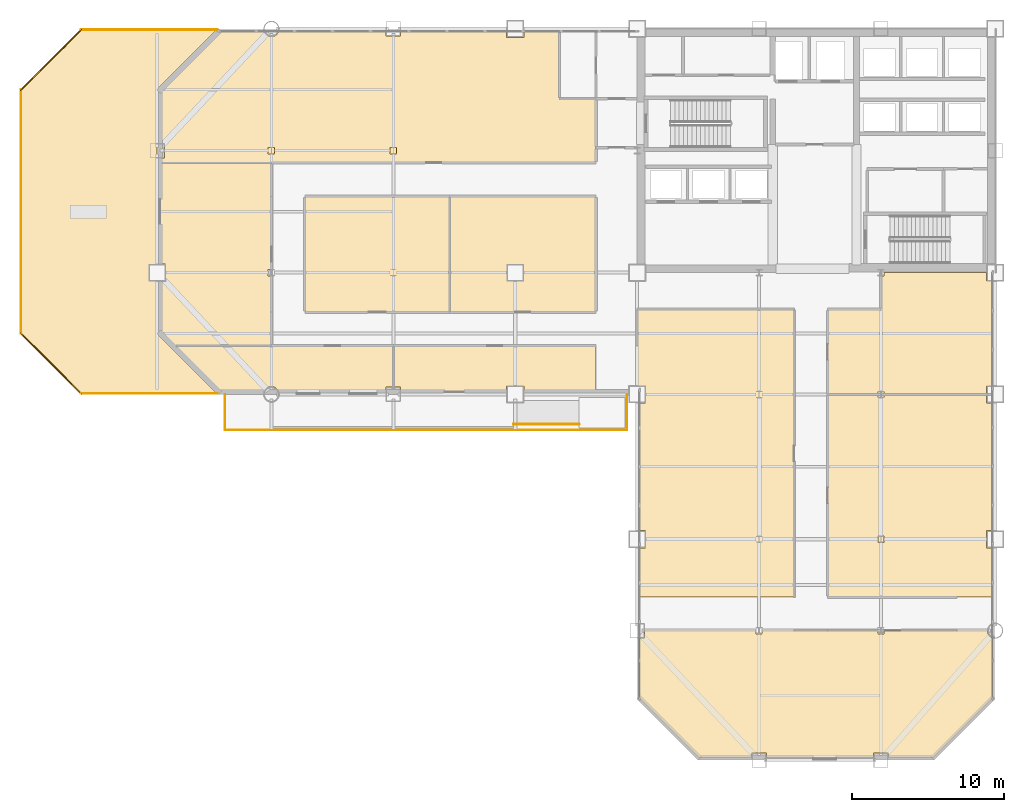
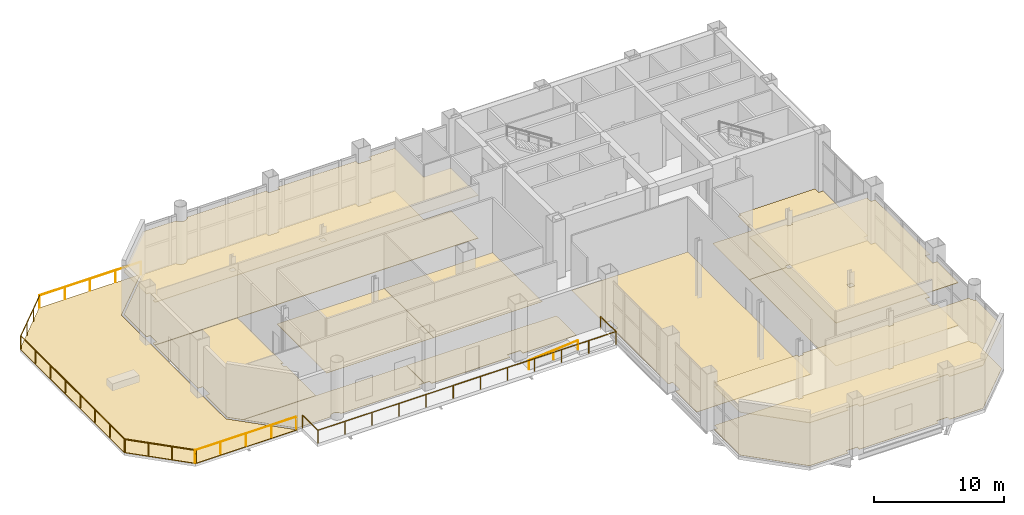
# One storey, part 21 of 22: 14 coverings, 7 railings.
"""IFC4 building model written with IfcOpenShell, lengths in metres."""

from ifc_helpers import new_model, si_unit, direction, frame, origin, origin_2d, place, context, subcontext, project, spatial, polyline, circle, outline, extrude, material, layer, layer_set, type_object, element, save


model = new_model("IFC4")

# Units and contexts
model_context = context("Model", 3, precision=1e-05, world=origin(), true_north=direction((0.0, 1.0)))
body_context = subcontext(model_context, "Body", "Model", "MODEL_VIEW")
ifc_project = project(units=[si_unit("LENGTHUNIT", "METRE"), si_unit("AREAUNIT", "SQUARE_METRE"), si_unit("VOLUMEUNIT", "CUBIC_METRE"), si_unit("PLANEANGLEUNIT", "RADIAN"), si_unit("MASSUNIT", "GRAM", prefix="KILO")], contexts=[model_context])

# Site, building, storey
site_placement = place(None, origin())
site = spatial("IfcSite", under=ifc_project, at=site_placement, CompositionType="ELEMENT")
building_placement = place(site_placement, origin())
building = spatial("IfcBuilding", under=site, at=building_placement, Name="Qianrong Seaharbour Tower", CompositionType="ELEMENT")
storey_placement = place(building_placement, frame((0.0, 0.0, 113.60009765625)))
storey = spatial("IfcBuildingStorey", under=building, at=storey_placement, Name="L27", CompositionType="ELEMENT", Elevation=113.60009765625)

# Coverings
ifc_material_1 = material(Name="Mineral fibre acoustic suspended ceiling board")
ifc_layer_1 = layer(ifc_material_1, 0.0400390625)
ifc_layer_set_1 = layer_set([ifc_layer_1], Name="Mineral fibre acoustic suspended ceiling board")
covering_type_1 = type_object("IfcCoveringType", Name="COV-CEIL-ACOUSTIC-40", PredefinedType="CEILING", material=ifc_layer_set_1)
covering_1_placement = place(storey_placement, frame((0.0, 0.0, 4.0048828125)))
element("IfcCovering", 1, at=covering_1_placement, inside=storey, type_object=covering_type_1, Name="L27 Transfer Hub Open-Plan Office Acoustic Ceiling", PredefinedType="CEILING", context=body_context, shape_type="SweptSolid", body=[
    extrude(outline(polyline([(9.1650390625, 43.514892578125), (9.485107421875, 43.514892578125), (9.485107421875, 44.485107421875), (9.1650390625, 44.485107421875), (9.1650390625, 47.931640625), (13.068359375, 51.8349609375), (16.019775390625, 51.8349609375), (16.02880859375, 51.8046875), (16.075927734375, 51.716796875), (16.139404296875, 51.639404296875), (16.216796875, 51.575927734375), (16.3046875, 51.52880859375), (16.400390625, 51.499755859375), (16.5, 51.489990234375), (16.599609375, 51.499755859375), (16.6953125, 51.52880859375), (16.783203125, 51.575927734375), (16.860595703125, 51.639404296875), (16.924072265625, 51.716796875), (16.97119140625, 51.8046875), (16.980224609375, 51.8349609375), (24.014892578125, 51.8349609375), (24.014892578125, 51.514892578125), (24.985107421875, 51.514892578125), (24.985107421875, 51.8349609375), (31.93994140625, 51.8349609375), (31.93994140625, 51.43994140625), (33.06005859375, 51.43994140625), (33.06005859375, 51.8349609375), (35.39990234375, 51.8349609375), (35.39990234375, 47.39990234375), (37.800048828125, 47.39990234375), (37.800048828125, 43.199951171875), (9.1650390625, 43.199951171875), (9.1650390625, 43.514892578125)]), holes=[polyline([(24.7099609375, 43.7900390625), (24.7099609375, 44.2099609375), (24.2900390625, 44.2099609375), (24.2900390625, 43.7900390625), (24.7099609375, 43.7900390625)]), polyline([(16.7099609375, 43.7900390625), (16.7099609375, 44.2099609375), (16.2900390625, 44.2099609375), (16.2900390625, 43.7900390625), (16.7099609375, 43.7900390625)])]), origin(), (0.0, 0.0, 1.0), 0.0400390625),
])
ifc_material_2 = material(Name="Perforated acoustic gypsum ceiling board")
ifc_layer_2 = layer(ifc_material_2, 0.050048828125)
ifc_layer_set_2 = layer_set([ifc_layer_2], Name="Perforated acoustic gypsum ceiling board")
covering_type_2 = type_object("IfcCoveringType", Name="COV-CEIL-GYPSUM-50", PredefinedType="CEILING", material=ifc_layer_set_2)
covering_2_placement = place(storey_placement, frame((0.0, 0.0, 3.994873046875)))
element("IfcCovering", 2, at=covering_2_placement, inside=storey, type_object=covering_type_2, Name="L27 Harbour View Dining Bistro 1 Acoustic Ceiling", PredefinedType="CEILING", context=body_context, shape_type="SweptSolid", body=[
    extrude(outline(polyline([(56.2900390625, 28.0), (56.2900390625, 27.7900390625), (56.7099609375, 27.7900390625), (56.7099609375, 28.0), (63.43994140625, 28.0), (63.43994140625, 27.43994140625), (63.8349609375, 27.43994140625), (63.8349609375, 19.06005859375), (63.43994140625, 19.06005859375), (63.43994140625, 17.93994140625), (63.8349609375, 17.93994140625), (63.8349609375, 14.699951171875), (53.0, 14.699951171875), (53.0, 28.0), (56.2900390625, 28.0)]), holes=[polyline([(56.2900390625, 18.2900390625), (56.7099609375, 18.2900390625), (56.7099609375, 18.7099609375), (56.2900390625, 18.7099609375), (56.2900390625, 18.2900390625)])]), origin(), (0.0, 0.0, 1.0), 0.050048828125),
])
covering_3_placement = place(storey_placement, frame((0.0, 0.0, 3.994873046875)))
element("IfcCovering", 3, at=covering_3_placement, inside=storey, type_object=covering_type_2, Name="L27 Skyline Observation Lounge Acoustic Ceiling", PredefinedType="CEILING", context=body_context, shape_type="SweptSolid", body=[
    extrude(outline(polyline([(59.931640625, 4.1650390625), (56.985107421875, 4.1650390625), (56.985107421875, 4.485107421875), (56.014892578125, 4.485107421875), (56.014892578125, 4.1650390625), (48.985107421875, 4.1650390625), (48.985107421875, 4.485107421875), (48.014892578125, 4.485107421875), (48.014892578125, 4.1650390625), (44.568359375, 4.1650390625), (40.6650390625, 8.068359375), (40.6650390625, 12.014892578125), (40.985107421875, 12.014892578125), (40.985107421875, 12.5), (48.2900390625, 12.5), (48.2900390625, 12.2900390625), (48.7099609375, 12.2900390625), (48.7099609375, 12.5), (56.2900390625, 12.5), (56.2900390625, 12.2900390625), (56.7099609375, 12.2900390625), (56.7099609375, 12.5), (63.489990234375, 12.5), (63.499755859375, 12.400390625), (63.52880859375, 12.3046875), (63.575927734375, 12.216796875), (63.639404296875, 12.139404296875), (63.716796875, 12.075927734375), (63.8046875, 12.02880859375), (63.8349609375, 12.019775390625), (63.8349609375, 8.068359375), (59.931640625, 4.1650390625)])), origin(), (0.0, 0.0, 1.0), 0.050048828125),
])
ifc_material_3 = material(Name="Acoustic modular carpet tile flooring")
ifc_layer_3 = layer(ifc_material_3, 0.02001953125)
ifc_layer_set_3 = layer_set([ifc_layer_3], Name="Acoustic modular carpet tile flooring")
covering_type_3 = type_object("IfcCoveringType", Name="COV-FLOOR-CARPET-20", PredefinedType="FLOORING", material=ifc_layer_set_3)
covering_4_placement = place(storey_placement, origin())
element("IfcCovering", 4, at=covering_4_placement, inside=storey, type_object=covering_type_3, Name="L27 Harbour Panorama Boardroom Finish Flooring", PredefinedType="FLOORING", context=body_context, shape_type="SweptSolid", body=[
    extrude(outline(polyline([(28.199951171875, 41.0), (28.199951171875, 33.39990234375), (18.699951171875, 33.39990234375), (18.699951171875, 41.0), (28.199951171875, 41.0)])), origin(), (0.0, 0.0, 1.0), 0.02001953125),
])
covering_5_placement = place(storey_placement, origin())
element("IfcCovering", 5, at=covering_5_placement, inside=storey, type_object=covering_type_3, Name="L27 Project Library Finish Flooring", PredefinedType="FLOORING", context=body_context, shape_type="SweptSolid", body=[
    extrude(outline(polyline([(37.800048828125, 41.0), (37.800048828125, 33.39990234375), (28.199951171875, 33.39990234375), (28.199951171875, 41.0), (37.800048828125, 41.0)])), origin(), (0.0, 0.0, 1.0), 0.02001953125),
])
covering_6_placement = place(storey_placement, origin())
element("IfcCovering", 6, at=covering_6_placement, inside=storey, type_object=covering_type_3, Name="L27 Skyline Collaboration Lounge 1 Finish Flooring", PredefinedType="FLOORING", context=body_context, shape_type="SweptSolid", body=[
    extrude(outline(polyline([(16.980224609375, 28.1650390625), (16.97119140625, 28.1953125), (16.924072265625, 28.283203125), (16.860595703125, 28.360595703125), (16.783203125, 28.424072265625), (16.6953125, 28.47119140625), (16.599609375, 28.500244140625), (16.5, 28.510009765625), (16.400390625, 28.500244140625), (16.3046875, 28.47119140625), (16.216796875, 28.424072265625), (16.139404296875, 28.360595703125), (16.075927734375, 28.283203125), (16.02880859375, 28.1953125), (16.019775390625, 28.1650390625), (13.068359375, 28.1650390625), (10.033203125, 31.199951171875), (24.5, 31.199951171875), (24.5, 28.485107421875), (24.014892578125, 28.485107421875), (24.014892578125, 28.1650390625), (16.980224609375, 28.1650390625)])), origin(), (0.0, 0.0, 1.0), 0.02001953125),
])
covering_7_placement = place(storey_placement, origin())
element("IfcCovering", 7, at=covering_7_placement, inside=storey, type_object=covering_type_3, Name="L27 Wet Pantry Finish Flooring", PredefinedType="FLOORING", context=body_context, shape_type="SweptSolid", body=[
    extrude(outline(polyline([(50.800048828125, 14.699951171875), (40.6650390625, 14.699951171875), (40.6650390625, 17.93994140625), (41.06005859375, 17.93994140625), (41.06005859375, 19.06005859375), (40.6650390625, 19.06005859375), (40.6650390625, 27.43994140625), (41.06005859375, 27.43994140625), (41.06005859375, 28.56005859375), (40.5, 28.56005859375), (40.5, 33.60009765625), (50.800048828125, 33.60009765625), (50.800048828125, 14.699951171875)])), origin(), (0.0, 0.0, 1.0), 0.02001953125),
])
covering_8_placement = place(storey_placement, origin())
element("IfcCovering", 8, at=covering_8_placement, inside=storey, type_object=covering_type_3, Name="L27 Skyline Observation Lounge Finish Flooring", PredefinedType="FLOORING", context=body_context, shape_type="SweptSolid", body=[
    extrude(outline(polyline([(59.931640625, 4.1650390625), (56.985107421875, 4.1650390625), (56.985107421875, 4.485107421875), (56.014892578125, 4.485107421875), (56.014892578125, 4.1650390625), (48.985107421875, 4.1650390625), (48.985107421875, 4.485107421875), (48.014892578125, 4.485107421875), (48.014892578125, 4.1650390625), (44.568359375, 4.1650390625), (40.6650390625, 8.068359375), (40.6650390625, 12.014892578125), (40.985107421875, 12.014892578125), (40.985107421875, 12.5), (48.2900390625, 12.5), (48.2900390625, 12.2900390625), (48.7099609375, 12.2900390625), (48.7099609375, 12.5), (56.2900390625, 12.5), (56.2900390625, 12.2900390625), (56.7099609375, 12.2900390625), (56.7099609375, 12.5), (63.489990234375, 12.5), (63.499755859375, 12.400390625), (63.52880859375, 12.3046875), (63.575927734375, 12.216796875), (63.639404296875, 12.139404296875), (63.716796875, 12.075927734375), (63.8046875, 12.02880859375), (63.8349609375, 12.019775390625), (63.8349609375, 8.068359375), (59.931640625, 4.1650390625)])), origin(), (0.0, 0.0, 1.0), 0.02001953125),
])
ifc_material_4 = material(Name="Honed granite stone flooring", Category="masonry")
ifc_layer_4 = layer(ifc_material_4, 0.030029296875)
ifc_layer_set_4 = layer_set([ifc_layer_4], Name="Honed granite stone flooring")
covering_type_4 = type_object("IfcCoveringType", Name="COV-FLOOR-GRANITE-30", PredefinedType="FLOORING", material=ifc_layer_set_4)
covering_9_placement = place(storey_placement, origin())
element("IfcCovering", 9, at=covering_9_placement, inside=storey, type_object=covering_type_4, Name="L27 Maritime Reception Hall Finish Flooring", PredefinedType="FLOORING", context=body_context, shape_type="SweptSolid", body=[
    extrude(outline(polyline([(10.033203125, 31.199951171875), (9.1650390625, 32.068359375), (9.1650390625, 35.43994140625), (9.56005859375, 35.43994140625), (9.56005859375, 36.56005859375), (9.1650390625, 36.56005859375), (9.1650390625, 43.199951171875), (16.5, 43.199951171875), (16.5, 36.2099609375), (16.2900390625, 36.2099609375), (16.2900390625, 35.7900390625), (16.5, 35.7900390625), (16.5, 31.199951171875), (10.033203125, 31.199951171875)])), origin(), (0.0, 0.0, 1.0), 0.02978515625),
])
covering_10_placement = place(storey_placement, origin())
element("IfcCovering", 10, at=covering_10_placement, inside=storey, type_object=covering_type_4, Name="L27 Harbour View Dining Bistro 1 Finish Flooring", PredefinedType="FLOORING", context=body_context, shape_type="SweptSolid", body=[
    extrude(outline(polyline([(56.2900390625, 28.0), (56.2900390625, 27.7900390625), (56.7099609375, 27.7900390625), (56.7099609375, 28.0), (63.43994140625, 28.0), (63.43994140625, 27.43994140625), (63.8349609375, 27.43994140625), (63.8349609375, 19.06005859375), (63.43994140625, 19.06005859375), (63.43994140625, 17.93994140625), (63.8349609375, 17.93994140625), (63.8349609375, 14.699951171875), (53.0, 14.699951171875), (53.0, 28.0), (56.2900390625, 28.0)])), origin(), (0.0, 0.0, 1.0), 0.02978515625),
])
covering_11_placement = place(storey_placement, origin())
element("IfcCovering", 11, at=covering_11_placement, inside=storey, type_object=covering_type_4, Name="L27 Executive Briefing Salon 2 Finish Flooring", PredefinedType="FLOORING", context=body_context, shape_type="SweptSolid", body=[
    extrude(outline(polyline([(56.5, 33.60009765625), (56.5, 35.7900390625), (56.7099609375, 35.7900390625), (56.7099609375, 36.0), (63.43994140625, 36.0), (63.43994140625, 35.43994140625), (63.8349609375, 35.43994140625), (63.8349609375, 28.56005859375), (63.43994140625, 28.56005859375), (63.43994140625, 28.0), (56.7099609375, 28.0), (56.7099609375, 28.2099609375), (56.2900390625, 28.2099609375), (56.2900390625, 28.0), (53.0, 28.0), (53.0, 33.60009765625), (56.5, 33.60009765625)])), origin(), (0.0, 0.0, 1.0), 0.02978515625),
])
ifc_material_5 = material(Name="Calcium-sulphate raised access floor tile")
ifc_layer_5 = layer(ifc_material_5, 0.044921875)
ifc_layer_set_5 = layer_set([ifc_layer_5], Name="Calcium-sulphate raised access floor tile")
covering_type_5 = type_object("IfcCoveringType", Name="COV-FLOOR-RAISED-45", PredefinedType="FLOORING", material=ifc_layer_set_5)
covering_12_placement = place(storey_placement, origin())
element("IfcCovering", 12, at=covering_12_placement, inside=storey, type_object=covering_type_5, Name="L27 Transfer Hub Open-Plan Office Finish Flooring", PredefinedType="FLOORING", context=body_context, shape_type="SweptSolid", body=[
    extrude(outline(polyline([(9.1650390625, 43.514892578125), (9.485107421875, 43.514892578125), (9.485107421875, 44.485107421875), (9.1650390625, 44.485107421875), (9.1650390625, 47.931640625), (13.068359375, 51.8349609375), (16.019775390625, 51.8349609375), (16.02880859375, 51.8046875), (16.075927734375, 51.716796875), (16.139404296875, 51.639404296875), (16.216796875, 51.575927734375), (16.3046875, 51.52880859375), (16.400390625, 51.499755859375), (16.5, 51.489990234375), (16.599609375, 51.499755859375), (16.6953125, 51.52880859375), (16.783203125, 51.575927734375), (16.860595703125, 51.639404296875), (16.924072265625, 51.716796875), (16.97119140625, 51.8046875), (16.980224609375, 51.8349609375), (24.014892578125, 51.8349609375), (24.014892578125, 51.514892578125), (24.985107421875, 51.514892578125), (24.985107421875, 51.8349609375), (31.93994140625, 51.8349609375), (31.93994140625, 51.43994140625), (33.06005859375, 51.43994140625), (33.06005859375, 51.8349609375), (35.39990234375, 51.8349609375), (35.39990234375, 47.39990234375), (37.800048828125, 47.39990234375), (37.800048828125, 43.199951171875), (9.1650390625, 43.199951171875), (9.1650390625, 43.514892578125)])), origin(), (0.0, 0.0, 1.0), 0.044921875),
])
covering_13_placement = place(storey_placement, origin())
element("IfcCovering", 13, at=covering_13_placement, inside=storey, type_object=covering_type_5, Name="L27 Executive Office 2 Finish Flooring", PredefinedType="FLOORING", context=body_context, shape_type="SweptSolid", body=[
    extrude(outline(polyline([(37.800048828125, 28.1650390625), (33.06005859375, 28.1650390625), (33.06005859375, 28.56005859375), (31.93994140625, 28.56005859375), (31.93994140625, 28.1650390625), (24.985107421875, 28.1650390625), (24.985107421875, 28.485107421875), (24.5, 28.485107421875), (24.5, 31.199951171875), (37.800048828125, 31.199951171875), (37.800048828125, 28.1650390625)])), origin(), (0.0, 0.0, 1.0), 0.044921875),
])
ifc_material_6 = material(Name="Elastomeric waterproofing membrane and extruded polystyrene insulation")
ifc_layer_6 = layer(ifc_material_6, 0.06005859375)
ifc_layer_set_6 = layer_set([ifc_layer_6], Name="Elastomeric waterproofing membrane and extruded polystyrene insulation")
covering_type_6 = type_object("IfcCoveringType", Name="COV-ROOF-MEMBRANE-60", PredefinedType="ROOFING", material=ifc_layer_set_6)
covering_14_placement = place(storey_placement, frame((0.0, 0.0, -0.06005859375)))
element("IfcCovering", 14, at=covering_14_placement, inside=storey, type_object=covering_type_6, Name="L27 Sky Garden Waterproofing Membrane 3", PredefinedType="ROOFING", context=body_context, shape_type="SweptSolid", body=[
    extrude(outline(polyline([(0.0, 32.0), (0.0, 48.0), (4.0, 52.0), (12.9716796875, 52.0), (8.98583984375, 48.01416015625), (8.984619140625, 48.0126953125), (8.9833984375, 48.010986328125), (8.982421875, 48.009521484375), (8.9814453125, 48.0078125), (8.98095703125, 48.005859375), (8.98046875, 48.00390625), (8.97998046875, 48.001953125), (8.97998046875, 48.0), (8.97998046875, 32.0), (8.97998046875, 31.998046875), (8.98046875, 31.99609375), (8.98095703125, 31.994140625), (8.9814453125, 31.9921875), (8.982421875, 31.990478515625), (8.9833984375, 31.989013671875), (8.984619140625, 31.9873046875), (8.98583984375, 31.98583984375), (12.9716796875, 28.0), (4.0, 28.0), (0.0, 32.0)])), origin(), (0.0, 0.0, 1.0), 0.06005859375),
])

# Railings
ifc_material_7 = material(Name="Stainless steel SUS316L tubular handrail", Category="steel")
railing_type_1 = type_object("IfcRailingType", Name="RAIL-RAMP-HANDRAIL-900", PredefinedType="HANDRAIL", material=ifc_material_7)
railing_1_placement = place(storey_placement, frame((32.3798828125, 26.050048828125, 0.0)))
element("IfcRailing", 15, at=railing_1_placement, inside=storey, type_object=railing_type_1, Name="L27 Harbourfront Ribbon Ramp Handrail", PredefinedType="HANDRAIL", context=body_context, shape_type="SweptSolid", body=[
    extrude(circle(Radius=0.02392578125, at=origin_2d()), frame((0.0, 0.0, 0.8759765625), z_axis=(0.996548476515, 0.0, 0.083012854161), x_axis=(0.0, 1.0, 0.0)), (0.0, 0.0, 1.0), 4.3349609375),
    extrude(circle(Radius=0.02099609375, at=origin_2d()), origin(), (0.0, 0.0, 1.0), 0.851806640625),
    extrude(circle(Radius=0.02099609375, at=origin_2d()), frame((2.16015625, 0.0, 0.179931640625)), (0.0, 0.0, 1.0), 0.851806640625),
    extrude(circle(Radius=0.02099609375, at=origin_2d()), frame((4.320068359375, 0.0, 0.35986328125)), (0.0, 0.0, 1.0), 0.851806640625),
])
ifc_material_8 = material(Name="Stainless steel SUS316L and laminated safety glass balustrade", Category="steel")
railing_type_2 = type_object("IfcRailingType", Name="RAIL-TERRACE-GUARD-1220", PredefinedType="GUARDRAIL", material=ifc_material_8)
railing_2_placement = place(storey_placement, frame((0.06005859375, 32.0, 0.0)))
element("IfcRailing", 16, at=railing_2_placement, inside=storey, type_object=railing_type_2, Name="L27 Sky Garden Perimeter Guardrail P3.1", PredefinedType="GUARDRAIL", context=body_context, shape_type="SweptSolid", body=[
    extrude(circle(Radius=0.02392578125, at=origin_2d()), frame((0.0, 0.0, 1.19580078125), z_axis=(0.0, 1.0, 0.0), x_axis=(-1.0, 0.0, 0.0)), (0.0, 0.0, 1.0), 16.0),
    extrude(circle(Radius=0.02099609375, at=origin_2d()), origin(), (0.0, 0.0, 1.0), 1.171875),
    extrude(circle(Radius=0.02099609375, at=origin_2d()), frame((0.0, 2.28564453125, 0.0)), (0.0, 0.0, 1.0), 1.171875),
    extrude(circle(Radius=0.02099609375, at=origin_2d()), frame((0.0, 4.571533203125, 0.0)), (0.0, 0.0, 1.0), 1.171875),
    extrude(circle(Radius=0.02099609375, at=origin_2d()), frame((0.0, 6.857177734375, 0.0)), (0.0, 0.0, 1.0), 1.171875),
    extrude(circle(Radius=0.02099609375, at=origin_2d()), frame((0.0, 9.142822265625, 0.0)), (0.0, 0.0, 1.0), 1.171875),
    extrude(circle(Radius=0.02099609375, at=origin_2d()), frame((0.0, 11.428466796875, 0.0)), (0.0, 0.0, 1.0), 1.171875),
    extrude(circle(Radius=0.02099609375, at=origin_2d()), frame((0.0, 13.71435546875, 0.0)), (0.0, 0.0, 1.0), 1.171875),
    extrude(circle(Radius=0.02099609375, at=origin_2d()), frame((0.0, 16.0, 0.0)), (0.0, 0.0, 1.0), 1.171875),
])
railing_3_placement = place(storey_placement, frame((0.04248046875, 47.95751953125, 0.0)))
element("IfcRailing", 17, at=railing_3_placement, inside=storey, type_object=railing_type_2, Name="L27 Sky Garden Perimeter Guardrail P3.2", PredefinedType="GUARDRAIL", context=body_context, shape_type="SweptSolid", body=[
    extrude(circle(Radius=0.02392578125, at=origin_2d()), frame((0.0, 0.0, 1.19580078125), z_axis=(0.707106781187, 0.707106781187, 0.0), x_axis=(-0.707106781187, 0.707106781187, 0.0)), (0.0, 0.0, 1.0), 5.65673828125),
    extrude(circle(Radius=0.02099609375, at=origin_2d()), origin(), (0.0, 0.0, 1.0), 1.171875),
    extrude(circle(Radius=0.02099609375, at=origin_2d()), frame((1.333251953125, 1.333251953125, 0.0)), (0.0, 0.0, 1.0), 1.171875),
    extrude(circle(Radius=0.02099609375, at=origin_2d()), frame((2.666748046875, 2.666748046875, 0.0)), (0.0, 0.0, 1.0), 1.171875),
    extrude(circle(Radius=0.02099609375, at=origin_2d()), frame((4.0, 4.0, 0.0)), (0.0, 0.0, 1.0), 1.171875),
])
railing_4_placement = place(storey_placement, frame((4.0, 51.93994140625, 0.0)))
element("IfcRailing", 18, at=railing_4_placement, inside=storey, type_object=railing_type_2, Name="L27 Sky Garden Perimeter Guardrail P3.3", PredefinedType="GUARDRAIL", context=body_context, shape_type="SweptSolid", body=[
    extrude(circle(Radius=0.02392578125, at=origin_2d()), frame((0.0, 0.0, 1.19580078125), z_axis=(1.0, 0.0, 0.0), x_axis=(0.0, 1.0, 0.0)), (0.0, 0.0, 1.0), 8.9716796875),
    extrude(circle(Radius=0.02099609375, at=origin_2d()), origin(), (0.0, 0.0, 1.0), 1.171875),
    extrude(circle(Radius=0.02099609375, at=origin_2d()), frame((2.242919921875, 0.0, 0.0)), (0.0, 0.0, 1.0), 1.171875),
    extrude(circle(Radius=0.02099609375, at=origin_2d()), frame((4.48583984375, 0.0, 0.0)), (0.0, 0.0, 1.0), 1.171875),
    extrude(circle(Radius=0.02099609375, at=origin_2d()), frame((6.728759765625, 0.0, 0.0)), (0.0, 0.0, 1.0), 1.171875),
    extrude(circle(Radius=0.02099609375, at=origin_2d()), frame((8.9716796875, 0.0, 0.0)), (0.0, 0.0, 1.0), 1.171875),
])
railing_5_placement = place(storey_placement, frame((12.9716796875, 28.06005859375, 0.0)))
element("IfcRailing", 19, at=railing_5_placement, inside=storey, type_object=railing_type_2, Name="L27 Sky Garden Perimeter Guardrail P3.23", PredefinedType="GUARDRAIL", context=body_context, shape_type="SweptSolid", body=[
    extrude(circle(Radius=0.02392578125, at=origin_2d()), frame((0.0, 0.0, 1.19580078125), z_axis=(-1.0, 0.0, 0.0), x_axis=(0.0, -1.0, 0.0)), (0.0, 0.0, 1.0), 8.9716796875),
    extrude(circle(Radius=0.02099609375, at=origin_2d()), origin(), (0.0, 0.0, 1.0), 1.171875),
    extrude(circle(Radius=0.02099609375, at=origin_2d()), frame((-2.242919921875, 0.0, 0.0)), (0.0, 0.0, 1.0), 1.171875),
    extrude(circle(Radius=0.02099609375, at=origin_2d()), frame((-4.48583984375, 0.0, 0.0)), (0.0, 0.0, 1.0), 1.171875),
    extrude(circle(Radius=0.02099609375, at=origin_2d()), frame((-6.728759765625, 0.0, 0.0)), (0.0, 0.0, 1.0), 1.171875),
    extrude(circle(Radius=0.02099609375, at=origin_2d()), frame((-8.9716796875, 0.0, 0.0)), (0.0, 0.0, 1.0), 1.171875),
])
railing_6_placement = place(storey_placement, frame((4.04248046875, 28.04248046875, 0.0)))
element("IfcRailing", 20, at=railing_6_placement, inside=storey, type_object=railing_type_2, Name="L27 Sky Garden Perimeter Guardrail P3.24", PredefinedType="GUARDRAIL", context=body_context, shape_type="SweptSolid", body=[
    extrude(circle(Radius=0.02392578125, at=origin_2d()), frame((0.0, 0.0, 1.19580078125), z_axis=(-0.707106781187, 0.707106781187, 0.0), x_axis=(-0.707106781187, -0.707106781187, 0.0)), (0.0, 0.0, 1.0), 5.65673828125),
    extrude(circle(Radius=0.02099609375, at=origin_2d()), origin(), (0.0, 0.0, 1.0), 1.171875),
    extrude(circle(Radius=0.02099609375, at=origin_2d()), frame((-1.333251953125, 1.333251953125, 0.0)), (0.0, 0.0, 1.0), 1.171875),
    extrude(circle(Radius=0.02099609375, at=origin_2d()), frame((-2.666748046875, 2.666748046875, 0.0)), (0.0, 0.0, 1.0), 1.171875),
    extrude(circle(Radius=0.02099609375, at=origin_2d()), frame((-4.0, 4.0, 0.0)), (0.0, 0.0, 1.0), 1.171875),
])
railing_7_placement = place(storey_placement, frame((13.4599609375, 27.97998046875, 0.0)))
element("IfcRailing", 21, at=railing_7_placement, inside=storey, type_object=railing_type_2, Name="L27 Harbourfront Ribbon Gallery Guardrail", PredefinedType="GUARDRAIL", context=body_context, shape_type="SweptSolid", body=[
    extrude(circle(Radius=0.02392578125, at=origin_2d()), frame((0.0, 0.0, 1.19580078125), z_axis=(0.0, -1.0, 0.0), x_axis=(1.0, 0.0, 0.0)), (0.0, 0.0, 1.0), 2.320068359375),
    extrude(circle(Radius=0.02392578125, at=origin_2d()), frame((0.0, -2.320068359375, 1.19580078125), z_axis=(1.0, 0.0, 0.0), x_axis=(0.0, 1.0, 0.0)), (0.0, 0.0, 1.0), 26.380126953125),
    extrude(circle(Radius=0.02392578125, at=origin_2d()), frame((26.380126953125, -2.320068359375, 1.19580078125), z_axis=(0.0, 1.0, 0.0), x_axis=(-1.0, 0.0, 0.0)), (0.0, 0.0, 1.0), 2.320068359375),
    extrude(circle(Radius=0.02099609375, at=origin_2d()), origin(), (0.0, 0.0, 1.0), 1.171875),
    extrude(circle(Radius=0.02099609375, at=origin_2d()), frame((0.0, -2.320068359375, 0.0)), (0.0, 0.0, 1.0), 1.171875),
    extrude(circle(Radius=0.02099609375, at=origin_2d()), frame((2.398193359375, -2.320068359375, 0.0)), (0.0, 0.0, 1.0), 1.171875),
    extrude(circle(Radius=0.02099609375, at=origin_2d()), frame((4.79638671875, -2.320068359375, 0.0)), (0.0, 0.0, 1.0), 1.171875),
    extrude(circle(Radius=0.02099609375, at=origin_2d()), frame((7.194580078125, -2.320068359375, 0.0)), (0.0, 0.0, 1.0), 1.171875),
    extrude(circle(Radius=0.02099609375, at=origin_2d()), frame((9.5927734375, -2.320068359375, 0.0)), (0.0, 0.0, 1.0), 1.171875),
    extrude(circle(Radius=0.02099609375, at=origin_2d()), frame((11.990966796875, -2.320068359375, 0.0)), (0.0, 0.0, 1.0), 1.171875),
    extrude(circle(Radius=0.02099609375, at=origin_2d()), frame((14.38916015625, -2.320068359375, 0.0)), (0.0, 0.0, 1.0), 1.171875),
    extrude(circle(Radius=0.02099609375, at=origin_2d()), frame((16.787353515625, -2.320068359375, 0.0)), (0.0, 0.0, 1.0), 1.171875),
    extrude(circle(Radius=0.02099609375, at=origin_2d()), frame((19.185546875, -2.320068359375, 0.0)), (0.0, 0.0, 1.0), 1.171875),
    extrude(circle(Radius=0.02099609375, at=origin_2d()), frame((21.583740234375, -2.320068359375, 0.0)), (0.0, 0.0, 1.0), 1.171875),
    extrude(circle(Radius=0.02099609375, at=origin_2d()), frame((23.98193359375, -2.320068359375, 0.0)), (0.0, 0.0, 1.0), 1.171875),
    extrude(circle(Radius=0.02099609375, at=origin_2d()), frame((26.380126953125, -2.320068359375, 0.0)), (0.0, 0.0, 1.0), 1.171875),
    extrude(circle(Radius=0.02099609375, at=origin_2d()), frame((26.380126953125, 0.0, 0.0)), (0.0, 0.0, 1.0), 1.171875),
])

save(model, "model.ifc")
